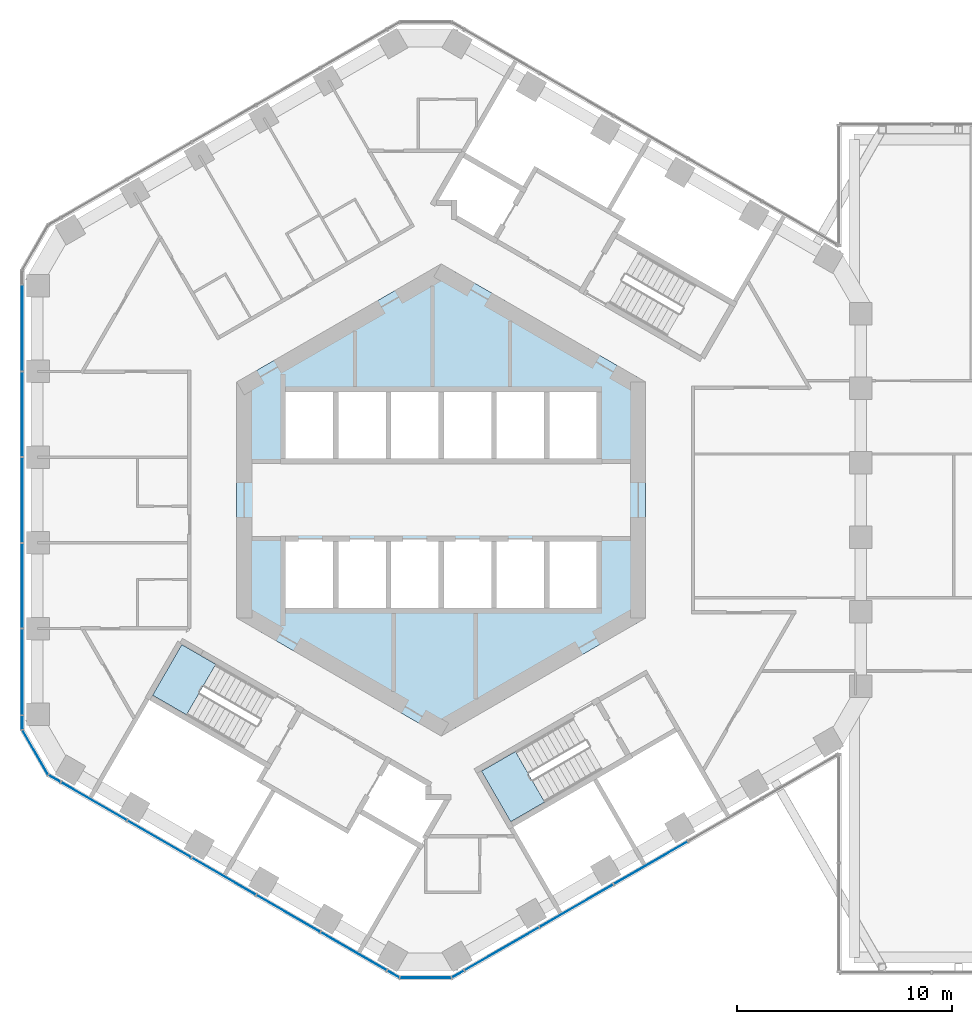
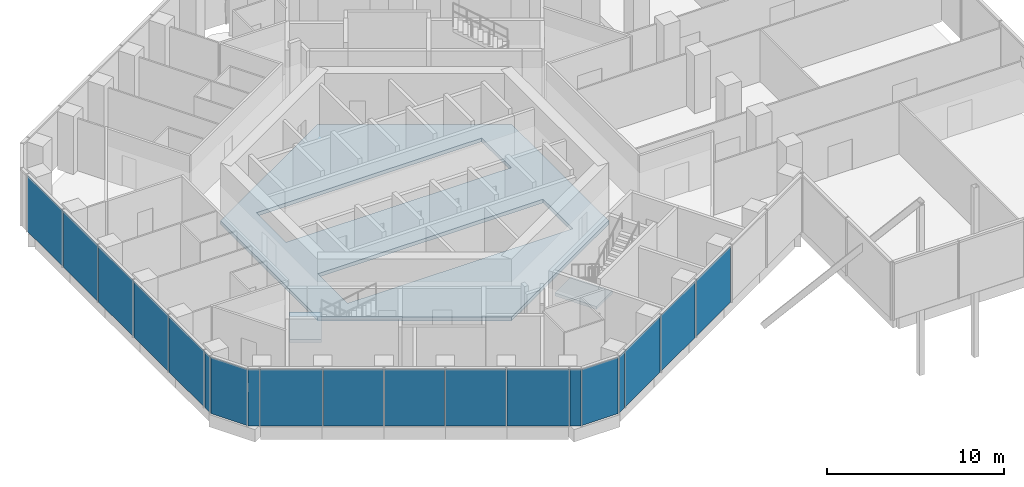
# One storey, part 12 of 24: 19 plates, 3 slabs, 7 elements without a shape of their own.
"""IFC4 building model written with IfcOpenShell, lengths in metres."""

import ifcopenshell
import ifcopenshell.guid

model = None  # the IFC model being written
_history = None  # IfcOwnerHistory: only IFC2X3 demands one
_inside = {}  # id of a spatial element -> (the spatial element, [elements in it])
_under = {}  # id of a project, library or spatial element -> (it, [spatial elements below it])
_declared = {}  # id of a project -> (the project, [libraries it declares])
_typed = {}  # id of a type object -> (the type object, [elements of that type])
_made_of = {}  # id of a material, layer set ... -> (it, [elements and type objects made of it])


def new_model(schema):
    """Start an empty IFC model of exactly this schema.

    Asked for "IFC4X3", IfcOpenShell would pick the latest addendum, in which some entities
    have other attributes; the version numbers below select the first issue.
    IFC2X3 requires an IfcOwnerHistory on every rooted entity: one is made here for all.
    """
    global model, _history
    if schema == "IFC4X3":
        model = ifcopenshell.file(schema_version=(4, 3, 0, 0))
    else:
        model = ifcopenshell.file(schema=schema)
    _inside.clear()
    _under.clear()
    _declared.clear()
    _typed.clear()
    _made_of.clear()
    _history = None
    if model.schema == "IFC2X3":
        org = make("IfcOrganization", Name="unknown")
        user = make(
            "IfcPersonAndOrganization",
            ThePerson=make("IfcPerson", FamilyName="unknown"),
            TheOrganization=org,
        )
        app = make(
            "IfcApplication",
            ApplicationDeveloper=org,
            Version="unknown",
            ApplicationFullName="unknown",
            ApplicationIdentifier="unknown",
        )
        _history = make(
            "IfcOwnerHistory",
            OwningUser=user,
            OwningApplication=app,
            ChangeAction="ADDED",
            CreationDate=0,
        )
    return model


def make(cls, **values):
    """One entity of the class cls with the attributes given. An attribute that is None is left unset."""
    return model.create_entity(
        cls, **{name: value for name, value in values.items() if value is not None}
    )


def rooted(cls, **values):
    """An entity with a GlobalId (a new one), such as an element, a storey or a relation."""
    return make(cls, GlobalId=ifcopenshell.guid.new(), OwnerHistory=_history, **values)


def si_unit(unit_type, name, prefix=None):
    """IfcSIUnit, for example si_unit("LENGTHUNIT", "METRE", prefix="MILLI")."""
    return make("IfcSIUnit", UnitType=unit_type, Prefix=prefix, Name=name)


def assignment(units):
    """IfcUnitAssignment: the units of a project."""
    return None if units is None else make("IfcUnitAssignment", Units=units)


def point(xyz):
    """IfcCartesianPoint."""
    return None if xyz is None else make("IfcCartesianPoint", Coordinates=xyz)


def direction(xyz):
    """IfcDirection."""
    return None if xyz is None else make("IfcDirection", DirectionRatios=xyz)


def frame(location, z_axis=None, x_axis=None):
    """IfcAxis2Placement3D, a coordinate frame: its origin and axes. An axis left out is left unset."""
    return make(
        "IfcAxis2Placement3D",
        Location=point(location),
        Axis=direction(z_axis),
        RefDirection=direction(x_axis),
    )


def frame_2d(location, x_axis=None):
    """IfcAxis2Placement2D, a coordinate frame in the plane: its origin and x axis."""
    return make(
        "IfcAxis2Placement2D", Location=point(location), RefDirection=direction(x_axis)
    )


def origin():
    """The frame at (0, 0, 0) with its axes left unset."""
    return frame((0.0, 0.0, 0.0))


def origin_2d():
    """The frame at (0, 0) in the plane with its x axis left unset."""
    return frame_2d((0.0, 0.0))


def place(relative_to, where):
    """IfcLocalPlacement: puts the frame where relative to a parent placement (None: the world)."""
    return make(
        "IfcLocalPlacement", PlacementRelTo=relative_to, RelativePlacement=where
    )


def context(
    kind, dimensions, precision=None, world=None, true_north=None, identifier=None
):
    """IfcGeometricRepresentationContext, for example the 3D "Model" context."""
    return make(
        "IfcGeometricRepresentationContext",
        ContextIdentifier=identifier,
        ContextType=kind,
        CoordinateSpaceDimension=dimensions,
        Precision=precision,
        WorldCoordinateSystem=world,
        TrueNorth=true_north,
    )


def subcontext(parent, identifier, kind, view, scale=None):
    """IfcGeometricRepresentationSubContext, for example "Body" below "Model"."""
    return make(
        "IfcGeometricRepresentationSubContext",
        ContextIdentifier=identifier,
        ContextType=kind,
        ParentContext=parent,
        TargetScale=scale,
        TargetView=view,
    )


def project(units=None, contexts=None):
    """IfcProject with its units and contexts."""
    return rooted(
        "IfcProject",
        Name="project",
        RepresentationContexts=contexts,
        UnitsInContext=assignment(units),
    )


def spatial(cls, under=None, at=None, **own):
    """A site, building, storey or space (cls), placed at a placement, below another one or the project."""
    s = rooted(cls, ObjectPlacement=at, **own)
    if under is not None:
        _under.setdefault(under.id(), (under, []))[1].append(s)
    return s


def polyline(points):
    """IfcPolyline through the points."""
    return make("IfcPolyline", Points=[point(p) for p in points])


def profile(cls, at=None, kind="AREA", **sizes):
    """A parametric profile (cls). Its sizes go by their IFC names, for example OverallWidth=200.0."""
    return make(cls, ProfileType=kind, Position=at, **sizes)


def rectangle(**sizes):
    """IfcRectangleProfileDef."""
    return profile("IfcRectangleProfileDef", **sizes)


def outline(outer, holes=None, kind="AREA"):
    """IfcArbitraryClosedProfileDef: a profile drawn as a closed curve; with holes, ...WithVoids."""
    if holes is None:
        return make("IfcArbitraryClosedProfileDef", ProfileType=kind, OuterCurve=outer)
    return make(
        "IfcArbitraryProfileDefWithVoids",
        ProfileType=kind,
        OuterCurve=outer,
        InnerCurves=holes,
    )


def extrude(swept, where, along, depth):
    """IfcExtrudedAreaSolid: the profile swept, set in the frame where, extruded along a direction by depth."""
    return make(
        "IfcExtrudedAreaSolid",
        SweptArea=swept,
        Position=where,
        ExtrudedDirection=direction(along),
        Depth=depth,
    )


def shape(context_of_items, identifier, shape_type, items):
    """IfcShapeRepresentation: the items that make up one representation, for example the "Body"."""
    return make(
        "IfcShapeRepresentation",
        ContextOfItems=context_of_items,
        RepresentationIdentifier=identifier,
        RepresentationType=shape_type,
        Items=items,
    )


def material(Name=None, Category=None):
    """IfcMaterial."""
    return make("IfcMaterial", Name=Name, Category=Category)


def layer(
    of_material, thickness, ventilated=None, Name=None, Category=None, Priority=None
):
    """IfcMaterialLayer: one layer of a wall or slab, of a material (None: an air gap)."""
    return make(
        "IfcMaterialLayer",
        Material=of_material,
        LayerThickness=thickness,
        IsVentilated=ventilated,
        Name=Name,
        Category=Category,
        Priority=Priority,
    )


def layer_set(layers, Name=None):
    """IfcMaterialLayerSet."""
    return make("IfcMaterialLayerSet", MaterialLayers=layers, LayerSetName=Name)


def made_of(thing, what):
    """Note that an element or type object is made of a material, layer set ...; save() writes the relation."""
    if what is not None:
        _made_of.setdefault(what.id(), (what, []))[1].append(thing)
    return thing


def type_object(cls, material=None, **own):
    """A type object (cls), such as IfcWallType, which elements share."""
    return made_of(rooted(cls, **own), material)


def element(
    cls,
    number,
    at=None,
    inside=None,
    cuts=None,
    type_object=None,
    material=None,
    context=None,
    identifier="Body",
    shape_type=None,
    held_by="IfcProductDefinitionShape",
    body=None,
    shapes=None,
    **own,
):
    """One element of the class cls, such as IfcWall. Its Tag is "e" and its number.

    at: its placement. inside: the storey or other place that contains it. cuts: it is an
    opening in that element (IfcRelVoidsElement). A single representation is given by context,
    identifier, shape_type and body (its items); several are given by shapes. held_by: the class
    of the entity that holds the representations. save() writes the other relations.
    """
    e = rooted(cls, Tag="e%d" % number, ObjectPlacement=at, **own)
    if body is not None:
        shapes = [shape(context, identifier, shape_type, body)]
    if shapes is not None:
        e.Representation = make(held_by, Representations=shapes)
    if inside is not None:
        _inside.setdefault(inside.id(), (inside, []))[1].append(e)
    if cuts is not None:
        rooted(
            "IfcRelVoidsElement", RelatingBuildingElement=cuts, RelatedOpeningElement=e
        )
    if type_object is not None:
        _typed.setdefault(type_object.id(), (type_object, []))[1].append(e)
    return made_of(e, material)


def aggregate(whole, parts):
    """IfcRelAggregates: a whole, such as a stair, and the parts it consists of."""
    return rooted("IfcRelAggregates", RelatingObject=whole, RelatedObjects=parts)


def save(model, path):
    """Write the relations noted so far, then the file.

    IfcRelAggregates (storeys below a building ...), IfcRelContainedInSpatialStructure (elements
    in a storey), IfcRelDefinesByType, IfcRelAssociatesMaterial and IfcRelDeclares: one each for
    every whole, place, type object, material and project.
    """
    for whole, parts in _under.values():
        aggregate(whole, parts)
    for where, things in _inside.values():
        rooted(
            "IfcRelContainedInSpatialStructure",
            RelatedElements=things,
            RelatingStructure=where,
        )
    for kind, things in _typed.values():
        rooted("IfcRelDefinesByType", RelatedObjects=things, RelatingType=kind)
    for what, things in _made_of.values():
        rooted("IfcRelAssociatesMaterial", RelatedObjects=things, RelatingMaterial=what)
    for by, libraries in _declared.values():
        rooted("IfcRelDeclares", RelatingContext=by, RelatedDefinitions=libraries)
    model.write(path)


model = new_model("IFC4")

# Units and contexts
model_context = context("Model", 3, precision=1e-05, world=origin(), true_north=direction((0.0, 1.0)))
body_context = subcontext(model_context, "Body", "Model", "MODEL_VIEW")
ifc_project = project(units=[si_unit("LENGTHUNIT", "METRE"), si_unit("AREAUNIT", "SQUARE_METRE"), si_unit("VOLUMEUNIT", "CUBIC_METRE"), si_unit("PLANEANGLEUNIT", "RADIAN"), si_unit("MASSUNIT", "GRAM", prefix="KILO")], contexts=[model_context])

# Site, building, storey
site_placement = place(None, origin())
site = spatial("IfcSite", under=ifc_project, at=site_placement, CompositionType="ELEMENT")
building_placement = place(site_placement, origin())
building = spatial("IfcBuilding", under=site, at=building_placement, Name="Ayvan Gate Tower", CompositionType="ELEMENT")
storey_placement = place(building_placement, frame((0.0, 0.0, 124.5)))
storey = spatial("IfcBuildingStorey", under=building, at=storey_placement, Name="L33", CompositionType="ELEMENT", Elevation=124.5)

# Slab
ifc_material_1 = material(Name="Concrete C40/50", Category="concrete")
ifc_layer_1 = layer(ifc_material_1, 0.25)
ifc_layer_set_1 = layer_set([ifc_layer_1], Name="Concrete C40/50")
slab_type_1 = type_object("IfcSlabType", Name="SL-CORE-250", PredefinedType="FLOOR", material=ifc_layer_set_1)
slab_1_placement = place(storey_placement, frame((0.0, 0.0, -0.25)))
element("IfcSlab", 1, at=slab_1_placement, inside=storey, type_object=slab_type_1, Name="CS-L33", PredefinedType="FLOOR", context=body_context, shape_type="SweptSolid", body=[
    extrude(outline(polyline([(9.5, -5.48486328125), (0.0, -10.9697265625), (-9.5, -5.48486328125), (-9.5, 5.48486328125), (0.0, 10.9697265625), (9.5, 5.48486328125), (9.5, -5.48486328125)]), holes=[polyline([(-7.35009765625, -1.800048828125), (-7.35009765625, -5.14990234375), (7.35009765625, -5.14990234375), (7.35009765625, -1.800048828125), (-7.35009765625, -1.800048828125)]), polyline([(-7.35009765625, 5.14990234375), (-7.35009765625, 1.800048828125), (7.35009765625, 1.800048828125), (7.35009765625, 5.14990234375), (-7.35009765625, 5.14990234375)])]), origin(), (0.0, 0.0, 1.0), 0.25),
])

# Stair, slab
stair_type = type_object("IfcStairType", Name="ST-EXIT", PredefinedType="HALF_TURN_STAIR", material=ifc_material_1)
stair_1_placement = place(storey_placement, origin())
stair_1 = element("IfcStair", 2, at=stair_1_placement, inside=storey, type_object=stair_type, Name="L33 Exit Stair S2", PredefinedType="HALF_TURN_STAIR")
ifc_layer_2 = layer(ifc_material_1, 0.199951171875)
ifc_layer_set_2 = layer_set([ifc_layer_2], Name="Concrete C40/50")
slab_type_2 = type_object("IfcSlabType", Name="SL-LANDING-200", PredefinedType="LANDING", material=ifc_layer_set_2)
slab_2_placement = place(storey_placement, frame((0.0, 0.0, 1.800048828125)))
slab_2 = element("IfcSlab", 3, at=slab_2_placement, type_object=slab_type_2, Name="STS2 landing 1", PredefinedType="LANDING", context=body_context, shape_type="SweptSolid", body=[
    extrude(outline(polyline([(-10.473388671875, -7.630615234375), (-12.049560546875, -6.720458984375), (-13.404541015625, -9.0673828125), (-11.828369140625, -9.9775390625), (-10.473388671875, -7.630615234375)])), origin(), (0.0, 0.0, 1.0), 0.199951171875),
])
aggregate(stair_1, [slab_2])

stair_2_placement = place(storey_placement, origin())
stair_2 = element("IfcStair", 4, at=stair_2_placement, inside=storey, type_object=stair_type, Name="L33 Exit Stair S3", PredefinedType="HALF_TURN_STAIR")
slab_3_placement = place(storey_placement, frame((0.0, 0.0, 1.800048828125)))
slab_3 = element("IfcSlab", 5, at=slab_3_placement, type_object=slab_type_2, Name="STS3 landing 1", PredefinedType="LANDING", context=body_context, shape_type="SweptSolid", body=[
    extrude(outline(polyline([(3.449951171875, -11.685546875), (1.873779296875, -12.595458984375), (3.228759765625, -14.9423828125), (4.804931640625, -14.032470703125), (3.449951171875, -11.685546875)])), origin(), (0.0, 0.0, 1.0), 0.199951171875),
])
aggregate(stair_2, [slab_3])

# Curtain wall, plates
ifc_material_2 = material(Name="Bronze anodised aluminium", Category="aluminium")
ifc_layer_3 = layer(ifc_material_2, 0.199951171875)
ifc_layer_set_3 = layer_set([ifc_layer_3], Name="Bronze anodised aluminium")
curtain_wall_type_1 = type_object("IfcCurtainWallType", Name="Stick curtain wall CW-1", PredefinedType="NOTDEFINED", material=ifc_layer_set_3)
curtain_wall_1_placement = place(storey_placement, origin())
curtain_wall_1 = element("IfcCurtainWall", 6, at=curtain_wall_1_placement, inside=storey, type_object=curtain_wall_type_1, Name="Stick curtain wall CW-1 L33", PredefinedType="NOTDEFINED")
ifc_material_3 = material(Name="Clear low-iron laminated glass", Category="glass")
ifc_layer_4 = layer(ifc_material_3, 0.028076171875)
ifc_layer_set_4 = layer_set([ifc_layer_4], Name="Clear low-iron laminated glass")
plate_type_1 = type_object("IfcPlateType", Name="Stick curtain wall CW-1 glass panel", PredefinedType="CURTAIN_PANEL", material=ifc_layer_set_4)
plate_1_placement = place(storey_placement, frame((-19.462890625, 8.000244140625, 0.0), z_axis=(0.0, 0.0, 1.0), x_axis=(0.0, -1.0, 0.0)))
plate_1 = element("IfcPlate", 7, at=plate_1_placement, type_object=plate_type_1, Name="CW-1 glass panel 1", PredefinedType="CURTAIN_PANEL", context=body_context, shape_type="SweptSolid", body=[
    extrude(rectangle(XDim=3.993896484375, YDim=0.028076171875, at=origin_2d()), origin(), (0.0, 0.0, 1.0), 3.8798828125),
])
plate_2_placement = place(storey_placement, frame((-19.462890625, 3.982421875, 0.0), z_axis=(0.0, 0.0, 1.0), x_axis=(0.0, -1.0, 0.0)))
plate_2 = element("IfcPlate", 8, at=plate_2_placement, type_object=plate_type_1, Name="CW-1 glass panel 2", PredefinedType="CURTAIN_PANEL", context=body_context, shape_type="SweptSolid", body=[
    extrude(rectangle(XDim=3.922119140625, YDim=0.028076171875, at=origin_2d()), origin(), (0.0, 0.0, 1.0), 3.8798828125),
])
plate_3_placement = place(storey_placement, frame((-19.462890625, 0.000244140625, 0.0), z_axis=(0.0, 0.0, 1.0), x_axis=(0.0, -1.0, 0.0)))
plate_3 = element("IfcPlate", 9, at=plate_3_placement, type_object=plate_type_1, Name="CW-1 glass panel 3", PredefinedType="CURTAIN_PANEL", context=body_context, shape_type="SweptSolid", body=[
    extrude(rectangle(XDim=3.922119140625, YDim=0.028076171875, at=origin_2d()), origin(), (0.0, 0.0, 1.0), 3.8798828125),
])
plate_4_placement = place(storey_placement, frame((-19.462890625, -3.982177734375, 0.0), z_axis=(0.0, 0.0, 1.0), x_axis=(0.0, -1.0, 0.0)))
plate_4 = element("IfcPlate", 10, at=plate_4_placement, type_object=plate_type_1, Name="CW-1 glass panel 4", PredefinedType="CURTAIN_PANEL", context=body_context, shape_type="SweptSolid", body=[
    extrude(rectangle(XDim=3.923095703125, YDim=0.028076171875, at=origin_2d()), origin(), (0.0, 0.0, 1.0), 3.8798828125),
])
plate_5_placement = place(storey_placement, frame((-19.462890625, -8.00048828125, 0.0), z_axis=(0.0, 0.0, 1.0), x_axis=(0.0, -1.0, 0.0)))
plate_5 = element("IfcPlate", 11, at=plate_5_placement, type_object=plate_type_1, Name="CW-1 glass panel 5", PredefinedType="CURTAIN_PANEL", context=body_context, shape_type="SweptSolid", body=[
    extrude(rectangle(XDim=3.99365234375, YDim=0.028076171875, at=origin_2d()), origin(), (0.0, 0.0, 1.0), 3.8798828125),
])
aggregate(curtain_wall_1, [plate_1, plate_2, plate_3, plate_4, plate_5])

curtain_wall_2_placement = place(storey_placement, origin())
curtain_wall_2 = element("IfcCurtainWall", 12, at=curtain_wall_2_placement, inside=storey, type_object=curtain_wall_type_1, Name="Stick curtain wall CW-1 L33", PredefinedType="NOTDEFINED")
plate_6_placement = place(storey_placement, frame((-16.13818359375, -13.990966796875, 0.0), z_axis=(0.0, 0.0, 1.0), x_axis=(0.866025403784, -0.5, 0.0)))
plate_6 = element("IfcPlate", 13, at=plate_6_placement, type_object=plate_type_1, Name="CW-1 glass panel 1", PredefinedType="CURTAIN_PANEL", context=body_context, shape_type="SweptSolid", body=[
    extrude(rectangle(XDim=3.530029296875, YDim=0.028076171875, at=origin_2d()), origin(), (0.0, 0.0, 1.0), 3.8798828125),
])
plate_7_placement = place(storey_placement, frame((-13.086669921875, -15.752685546875, 0.0), z_axis=(0.0, 0.0, 1.0), x_axis=(0.866025403784, -0.5, 0.0)))
plate_7 = element("IfcPlate", 14, at=plate_7_placement, type_object=plate_type_1, Name="CW-1 glass panel 2", PredefinedType="CURTAIN_PANEL", context=body_context, shape_type="SweptSolid", body=[
    extrude(rectangle(XDim=3.39697265625, YDim=0.028076171875, at=origin_2d()), origin(), (0.0, 0.0, 1.0), 3.8798828125),
])
plate_8_placement = place(storey_placement, frame((-10.093017578125, -17.481201171875, 0.0), z_axis=(0.0, 0.0, 1.0), x_axis=(0.866025403784, -0.5, 0.0)))
plate_8 = element("IfcPlate", 15, at=plate_8_placement, type_object=plate_type_1, Name="CW-1 glass panel 3", PredefinedType="CURTAIN_PANEL", context=body_context, shape_type="SweptSolid", body=[
    extrude(rectangle(XDim=3.39697265625, YDim=0.028076171875, at=origin_2d()), origin(), (0.0, 0.0, 1.0), 3.8798828125),
])
plate_9_placement = place(storey_placement, frame((-7.0986328125, -19.2099609375, 0.0), z_axis=(0.0, 0.0, 1.0), x_axis=(0.866025403784, -0.5, 0.0)))
plate_9 = element("IfcPlate", 16, at=plate_9_placement, type_object=plate_type_1, Name="CW-1 glass panel 4", PredefinedType="CURTAIN_PANEL", context=body_context, shape_type="SweptSolid", body=[
    extrude(rectangle(XDim=3.39794921875, YDim=0.028076171875, at=origin_2d()), origin(), (0.0, 0.0, 1.0), 3.8798828125),
])
plate_10_placement = place(storey_placement, frame((-4.047119140625, -20.9716796875, 0.0), z_axis=(0.0, 0.0, 1.0), x_axis=(0.866025403784, -0.5, 0.0)))
plate_10 = element("IfcPlate", 17, at=plate_10_placement, type_object=plate_type_1, Name="CW-1 glass panel 5", PredefinedType="CURTAIN_PANEL", context=body_context, shape_type="SweptSolid", body=[
    extrude(rectangle(XDim=3.529296875, YDim=0.028076171875, at=origin_2d()), origin(), (0.0, 0.0, 1.0), 3.8798828125),
])
aggregate(curtain_wall_2, [plate_6, plate_7, plate_8, plate_9, plate_10])

curtain_wall_3_placement = place(storey_placement, origin())
curtain_wall_3 = element("IfcCurtainWall", 18, at=curtain_wall_3_placement, inside=storey, type_object=curtain_wall_type_1, Name="Stick curtain wall CW-1 L33", PredefinedType="NOTDEFINED")
plate_11_placement = place(storey_placement, frame((2.802978515625, -20.85546875, 0.0), z_axis=(0.0, 0.0, 1.0), x_axis=(0.866025403784, 0.5, 0.0)))
plate_11 = element("IfcPlate", 19, at=plate_11_placement, type_object=plate_type_1, Name="CW-1 glass panel 1", PredefinedType="CURTAIN_PANEL", context=body_context, shape_type="SweptSolid", body=[
    extrude(rectangle(XDim=3.993896484375, YDim=0.028076171875, at=origin_2d()), origin(), (0.0, 0.0, 1.0), 3.8798828125),
])
plate_12_placement = place(storey_placement, frame((6.28271484375, -18.846435546875, 0.0), z_axis=(0.0, 0.0, 1.0), x_axis=(0.866025403784, 0.5, 0.0)))
plate_12 = element("IfcPlate", 20, at=plate_12_placement, type_object=plate_type_1, Name="CW-1 glass panel 2", PredefinedType="CURTAIN_PANEL", context=body_context, shape_type="SweptSolid", body=[
    extrude(rectangle(XDim=3.922119140625, YDim=0.028076171875, at=origin_2d()), origin(), (0.0, 0.0, 1.0), 3.8798828125),
])
plate_13_placement = place(storey_placement, frame((9.731201171875, -16.85546875, 0.0), z_axis=(0.0, 0.0, 1.0), x_axis=(0.866025403784, 0.5, 0.0)))
plate_13 = element("IfcPlate", 21, at=plate_13_placement, type_object=plate_type_1, Name="CW-1 glass panel 3", PredefinedType="CURTAIN_PANEL", context=body_context, shape_type="SweptSolid", body=[
    extrude(rectangle(XDim=3.922119140625, YDim=0.028076171875, at=origin_2d()), origin(), (0.0, 0.0, 1.0), 3.8798828125),
])
aggregate(curtain_wall_3, [plate_11, plate_12, plate_13])

ifc_layer_5 = layer(ifc_material_2, 0.199951171875)
ifc_layer_set_5 = layer_set([ifc_layer_5], Name="Bronze anodised aluminium")
curtain_wall_type_2 = type_object("IfcCurtainWallType", Name="Stick curtain wall CW-6", PredefinedType="NOTDEFINED", material=ifc_layer_set_5)
curtain_wall_4_placement = place(storey_placement, origin())
curtain_wall_4 = element("IfcCurtainWall", 22, at=curtain_wall_4_placement, inside=storey, type_object=curtain_wall_type_2, Name="Stick curtain wall CW-6 L33", PredefinedType="NOTDEFINED")
ifc_layer_6 = layer(ifc_material_3, 0.028076171875)
ifc_layer_set_6 = layer_set([ifc_layer_6], Name="Clear low-iron laminated glass")
plate_type_2 = type_object("IfcPlateType", Name="Stick curtain wall CW-6 glass panel", PredefinedType="CURTAIN_PANEL", material=ifc_layer_set_6)
plate_14_placement = place(storey_placement, frame((-19.462890625, -10.33984375, 0.0), z_axis=(0.0, 0.0, 1.0), x_axis=(0.0, -1.0, 0.0)))
plate_14 = element("IfcPlate", 23, at=plate_14_placement, type_object=plate_type_2, Name="CW-6 glass panel 1", PredefinedType="CURTAIN_PANEL", context=body_context, shape_type="SweptSolid", body=[
    extrude(rectangle(XDim=0.625, YDim=0.028076171875, at=origin_2d()), origin(), (0.0, 0.0, 1.0), 3.8798828125),
])
plate_15_placement = place(storey_placement, frame((-18.859375, -11.722900390625, 0.0), z_axis=(0.0, 0.0, 1.0), x_axis=(0.5, -0.866025403784, 0.0)))
plate_15 = element("IfcPlate", 24, at=plate_15_placement, type_object=plate_type_2, Name="CW-6 glass panel 2", PredefinedType="CURTAIN_PANEL", context=body_context, shape_type="SweptSolid", body=[
    extrude(rectangle(XDim=2.364501953125, YDim=0.028076171875, at=origin_2d()), origin(), (0.0, 0.0, 1.0), 3.8798828125),
])
plate_16_placement = place(storey_placement, frame((-17.96337890625, -12.93701171875, 0.0), z_axis=(0.0, 0.0, 1.0), x_axis=(0.866025403784, -0.5, 0.0)))
plate_16 = element("IfcPlate", 25, at=plate_16_placement, type_object=plate_type_2, Name="CW-6 glass panel 3", PredefinedType="CURTAIN_PANEL", context=body_context, shape_type="SweptSolid", body=[
    extrude(rectangle(XDim=0.625, YDim=0.028076171875, at=origin_2d()), origin(), (0.0, 0.0, 1.0), 3.8798828125),
])
aggregate(curtain_wall_4, [plate_14, plate_15, plate_16])

curtain_wall_5_placement = place(storey_placement, origin())
curtain_wall_5 = element("IfcCurtainWall", 26, at=curtain_wall_5_placement, inside=storey, type_object=curtain_wall_type_2, Name="Stick curtain wall CW-6 L33", PredefinedType="NOTDEFINED")
plate_17_placement = place(storey_placement, frame((-2.22216796875, -22.025390625, 0.0), z_axis=(0.0, 0.0, 1.0), x_axis=(0.866025403784, -0.5, 0.0)))
plate_17 = element("IfcPlate", 27, at=plate_17_placement, type_object=plate_type_2, Name="CW-6 glass panel 1", PredefinedType="CURTAIN_PANEL", context=body_context, shape_type="SweptSolid", body=[
    extrude(rectangle(XDim=0.625, YDim=0.028076171875, at=origin_2d()), origin(), (0.0, 0.0, 1.0), 3.8798828125),
])
plate_18_placement = place(storey_placement, frame((-0.72265625, -22.194091796875, 0.0), z_axis=(0.0, 0.0, 1.0), x_axis=(1.0, 0.0, 0.0)))
plate_18 = element("IfcPlate", 28, at=plate_18_placement, type_object=plate_type_2, Name="CW-6 glass panel 2", PredefinedType="CURTAIN_PANEL", context=body_context, shape_type="SweptSolid", body=[
    extrude(rectangle(XDim=2.364501953125, YDim=0.028076171875, at=origin_2d()), origin(), (0.0, 0.0, 1.0), 3.8798828125),
])
plate_19_placement = place(storey_placement, frame((0.77685546875, -22.025390625, 0.0), z_axis=(0.0, 0.0, 1.0), x_axis=(0.866025403784, 0.5, 0.0)))
plate_19 = element("IfcPlate", 29, at=plate_19_placement, type_object=plate_type_2, Name="CW-6 glass panel 3", PredefinedType="CURTAIN_PANEL", context=body_context, shape_type="SweptSolid", body=[
    extrude(rectangle(XDim=0.625, YDim=0.028076171875, at=origin_2d()), origin(), (0.0, 0.0, 1.0), 3.8798828125),
])
aggregate(curtain_wall_5, [plate_17, plate_18, plate_19])

save(model, "model.ifc")
